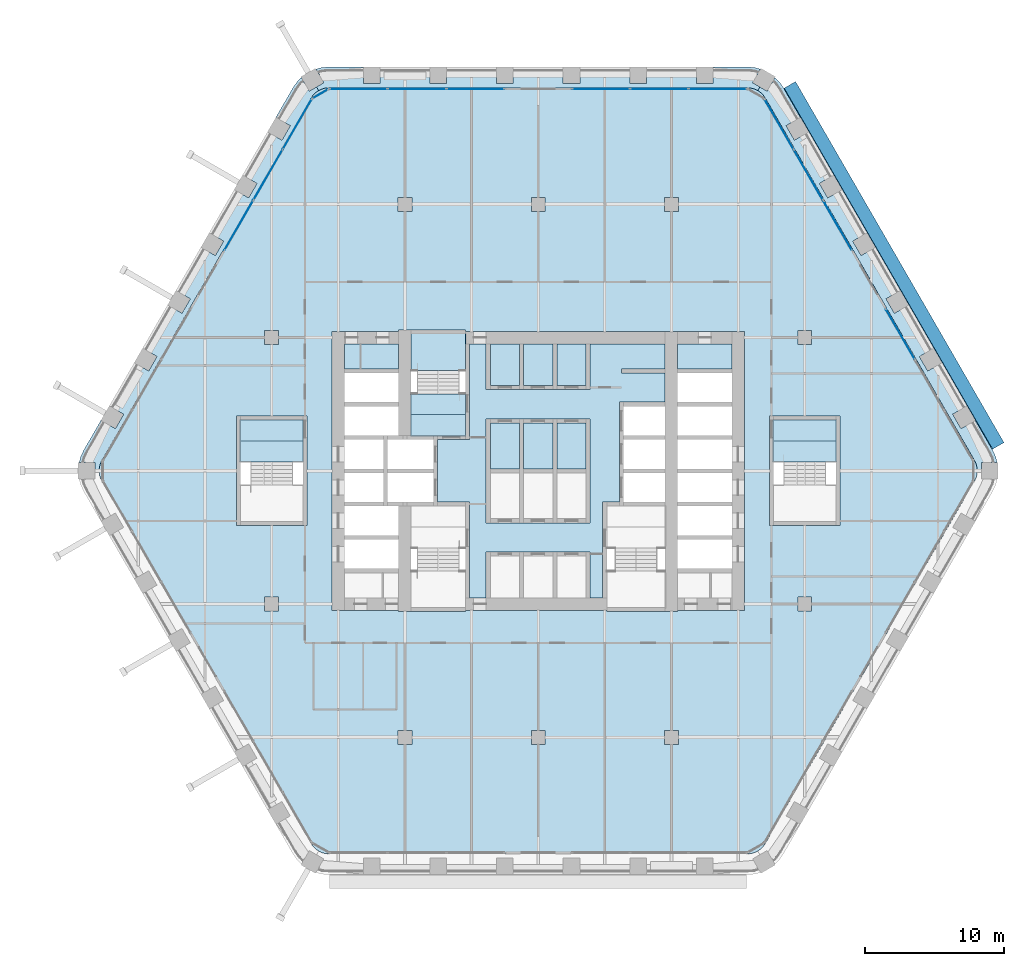
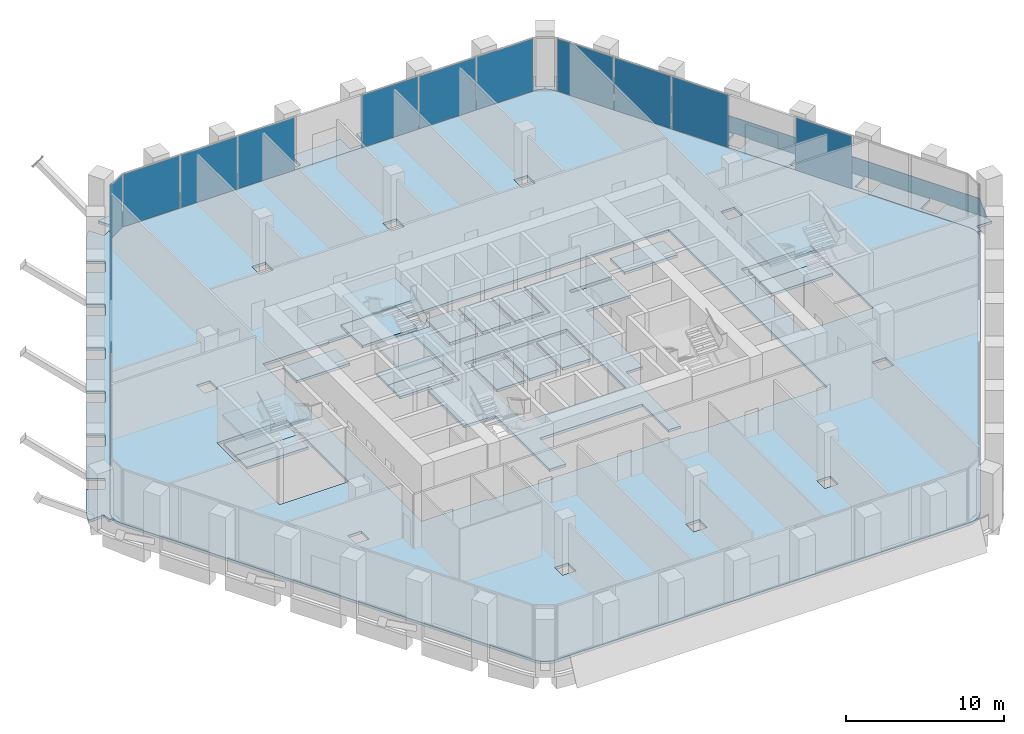
# One storey, part 13 of 27: 24 slabs, 15 plates, 9 elements without a shape of their own.
"""IFC4 building model written with IfcOpenShell, lengths in metres."""

from ifc_helpers import new_model, si_unit, direction, frame, origin, origin_2d, place, context, subcontext, project, spatial, polyline, rectangle, outline, extrude, material, layer, layer_set, type_object, element, aggregate, save


model = new_model("IFC4")

# Units and contexts
model_context = context("Model", 3, precision=1e-05, world=origin(), true_north=direction((0.0, 1.0)))
body_context = subcontext(model_context, "Body", "Model", "MODEL_VIEW")
ifc_project = project(units=[si_unit("LENGTHUNIT", "METRE"), si_unit("AREAUNIT", "SQUARE_METRE"), si_unit("VOLUMEUNIT", "CUBIC_METRE"), si_unit("PLANEANGLEUNIT", "RADIAN"), si_unit("MASSUNIT", "GRAM", prefix="KILO")], contexts=[model_context])

# Site, building, storey
site_placement = place(None, origin())
site = spatial("IfcSite", under=ifc_project, at=site_placement, CompositionType="ELEMENT")
building_placement = place(site_placement, origin())
building = spatial("IfcBuilding", under=site, at=building_placement, Name="Kolab Exchange Tower", CompositionType="ELEMENT")
storey_placement = place(building_placement, frame((0.0, 0.0, 118.39990234375)))
storey = spatial("IfcBuildingStorey", under=building, at=storey_placement, Name="L23", CompositionType="ELEMENT", Elevation=118.39990234375)

# Slabs
ifc_material_1 = material(Name="Concrete C35/45", Category="concrete")
ifc_layer_1 = layer(ifc_material_1, 0.199951171875)
ifc_layer_set_1 = layer_set([ifc_layer_1], Name="Concrete C35/45")
slab_type_1 = type_object("IfcSlabType", Name="FLOOR SLAB 200", PredefinedType="FLOOR", material=ifc_layer_set_1)
slab_1_placement = place(storey_placement, frame((0.0, 0.0, -0.199951171875)))
element("IfcSlab", 1, at=slab_1_placement, inside=storey, type_object=slab_type_1, Name="slab/L23/floor/0", PredefinedType="FLOOR", context=body_context, shape_type="SweptSolid", body=[
    extrude(outline(polyline([(16.366943359375, -26.848388671875), (31.434814453125, -0.75), (31.54541015625, -0.512939453125), (31.613037109375, -0.260498046875), (31.635986328125, 0.0), (31.613037109375, 0.260498046875), (31.54541015625, 0.512939453125), (31.434814453125, 0.75), (16.366943359375, 26.848388671875), (16.217041015625, 27.062744140625), (16.0322265625, 27.24755859375), (15.81787109375, 27.3974609375), (15.5810546875, 27.508056640625), (15.328369140625, 27.57568359375), (15.06787109375, 27.598388671875), (-15.06787109375, 27.598388671875), (-15.328369140625, 27.57568359375), (-15.5810546875, 27.508056640625), (-15.81787109375, 27.3974609375), (-16.0322265625, 27.24755859375), (-16.217041015625, 27.062744140625), (-16.366943359375, 26.848388671875), (-31.434814453125, 0.75), (-31.54541015625, 0.512939453125), (-31.613037109375, 0.260498046875), (-31.635986328125, 0.0), (-31.613037109375, -0.260498046875), (-31.54541015625, -0.512939453125), (-31.434814453125, -0.75), (-16.366943359375, -26.848388671875), (-16.217041015625, -27.062744140625), (-16.0322265625, -27.24755859375), (-15.81787109375, -27.3974609375), (-15.5810546875, -27.508056640625), (-15.328369140625, -27.57568359375), (-15.06787109375, -27.598388671875), (15.06787109375, -27.598388671875), (15.328369140625, -27.57568359375), (15.5810546875, -27.508056640625), (15.81787109375, -27.3974609375), (16.0322265625, -27.24755859375), (16.217041015625, -27.062744140625), (16.366943359375, -26.848388671875)]), holes=[polyline([(-13.949951171875, -10.050048828125), (-14.85009765625, -10.050048828125), (-14.85009765625, 10.050048828125), (-13.949951171875, 10.050048828125), (-10.050048828125, 10.050048828125), (-10.050048828125, 10.14990234375), (-9.14990234375, 10.14990234375), (-5.25, 10.14990234375), (-5.25, 10.050048828125), (9.14990234375, 10.050048828125), (10.050048828125, 10.050048828125), (13.949951171875, 10.050048828125), (14.85009765625, 10.050048828125), (14.85009765625, -10.050048828125), (13.949951171875, -10.050048828125), (10.050048828125, -10.050048828125), (10.050048828125, -10.14990234375), (9.14990234375, -10.14990234375), (4.949951171875, -10.14990234375), (4.949951171875, -10.050048828125), (-5.25, -10.050048828125), (-5.25, -10.14990234375), (-9.14990234375, -10.14990234375), (-10.050048828125, -10.14990234375), (-10.050048828125, -10.050048828125), (-13.949951171875, -10.050048828125)]), polyline([(-18.699951171875, -9.10009765625), (-18.699951171875, -10.10009765625), (-19.699951171875, -10.10009765625), (-19.699951171875, -9.10009765625), (-18.699951171875, -9.10009765625)]), polyline([(-21.449951171875, -3.949951171875), (-21.75, -3.949951171875), (-21.75, 3.949951171875), (-21.449951171875, 3.949951171875), (-16.949951171875, 3.949951171875), (-16.64990234375, 3.949951171875), (-16.64990234375, -3.949951171875), (-16.949951171875, -3.949951171875), (-21.449951171875, -3.949951171875)]), polyline([(-18.699951171875, 10.10009765625), (-18.699951171875, 9.10009765625), (-19.699951171875, 9.10009765625), (-19.699951171875, 10.10009765625), (-18.699951171875, 10.10009765625)]), polyline([(-9.10009765625, -18.699951171875), (-9.10009765625, -19.699951171875), (-10.10009765625, -19.699951171875), (-10.10009765625, -18.699951171875), (-9.10009765625, -18.699951171875)]), polyline([(-9.10009765625, 19.699951171875), (-9.10009765625, 18.699951171875), (-10.10009765625, 18.699951171875), (-10.10009765625, 19.699951171875), (-9.10009765625, 19.699951171875)]), polyline([(9.10009765625, -18.699951171875), (10.10009765625, -18.699951171875), (10.10009765625, -19.699951171875), (9.10009765625, -19.699951171875), (9.10009765625, -18.699951171875)]), polyline([(-0.5, -18.699951171875), (0.5, -18.699951171875), (0.5, -19.699951171875), (-0.5, -19.699951171875), (-0.5, -18.699951171875)]), polyline([(0.5, 19.699951171875), (0.5, 18.699951171875), (-0.5, 18.699951171875), (-0.5, 19.699951171875), (0.5, 19.699951171875)]), polyline([(10.10009765625, 19.699951171875), (10.10009765625, 18.699951171875), (9.10009765625, 18.699951171875), (9.10009765625, 19.699951171875), (10.10009765625, 19.699951171875)]), polyline([(19.699951171875, -9.10009765625), (19.699951171875, -10.10009765625), (18.699951171875, -10.10009765625), (18.699951171875, -9.10009765625), (19.699951171875, -9.10009765625)]), polyline([(21.449951171875, 3.949951171875), (21.75, 3.949951171875), (21.75, -3.949951171875), (21.449951171875, -3.949951171875), (16.949951171875, -3.949951171875), (16.64990234375, -3.949951171875), (16.64990234375, 3.949951171875), (16.949951171875, 3.949951171875), (21.449951171875, 3.949951171875)]), polyline([(19.699951171875, 10.10009765625), (19.699951171875, 9.10009765625), (18.699951171875, 9.10009765625), (18.699951171875, 10.10009765625), (19.699951171875, 10.10009765625)])]), origin(), (0.0, 0.0, 1.0), 0.199951171875),
])
slab_2_placement = place(storey_placement, frame((0.0, 0.0, -0.199951171875)))
element("IfcSlab", 2, at=slab_2_placement, inside=storey, type_object=slab_type_1, Name="slab/L23/floor/1", PredefinedType="FLOOR", context=body_context, shape_type="SweptSolid", body=[
    extrude(outline(polyline([(-4.949951171875, 9.14990234375), (-4.949951171875, 2.25), (-5.25, 2.25), (-7.25, 2.25), (-7.25, -2.25), (-5.25, -2.25), (-4.949951171875, -2.25), (-4.949951171875, -9.14990234375), (-3.75, -9.14990234375), (-3.75, -5.85009765625), (-3.449951171875, -5.85009765625), (-1.35009765625, -5.85009765625), (-1.050048828125, -5.85009765625), (1.050048828125, -5.85009765625), (1.35009765625, -5.85009765625), (3.449951171875, -5.85009765625), (3.75, -5.85009765625), (3.75, -9.14990234375), (4.64990234375, -9.14990234375), (4.64990234375, -2.25), (4.949951171875, -2.25), (5.85009765625, -2.25), (5.85009765625, 4.949951171875), (6.14990234375, 4.949951171875), (9.14990234375, 4.949951171875), (9.14990234375, 7.050048828125), (6.0, 7.050048828125), (6.0, 7.35009765625), (9.14990234375, 7.35009765625), (9.14990234375, 9.14990234375), (3.75, 9.14990234375), (3.75, 5.85009765625), (3.449951171875, 5.85009765625), (1.35009765625, 5.85009765625), (1.050048828125, 5.85009765625), (-1.050048828125, 5.85009765625), (-1.35009765625, 5.85009765625), (-3.449951171875, 5.85009765625), (-3.75, 5.85009765625), (-3.75, 9.14990234375), (-4.949951171875, 9.14990234375)]), holes=[polyline([(-3.75, -3.75), (-3.75, 3.75), (-3.449951171875, 3.75), (-1.35009765625, 3.75), (-1.050048828125, 3.75), (1.050048828125, 3.75), (1.35009765625, 3.75), (3.449951171875, 3.75), (3.75, 3.75), (3.75, -3.75), (3.449951171875, -3.75), (1.35009765625, -3.75), (1.050048828125, -3.75), (-1.050048828125, -3.75), (-1.35009765625, -3.75), (-3.449951171875, -3.75), (-3.75, -3.75)])]), origin(), (0.0, 0.0, 1.0), 0.199951171875),
])
slab_3_placement = place(storey_placement, frame((0.0, 0.0, -0.199951171875)))
element("IfcSlab", 3, at=slab_3_placement, inside=storey, type_object=slab_type_1, Name="slab/L23/floor/3", PredefinedType="FLOOR", context=body_context, shape_type="SweptSolid", body=[
    extrude(outline(polyline([(-10.050048828125, 9.14990234375), (-13.949951171875, 9.14990234375), (-13.949951171875, 7.35009765625), (-10.050048828125, 7.35009765625), (-10.050048828125, 9.14990234375)])), origin(), (0.0, 0.0, 1.0), 0.199951171875),
])
slab_4_placement = place(storey_placement, frame((0.0, 0.0, -0.199951171875)))
element("IfcSlab", 4, at=slab_4_placement, inside=storey, type_object=slab_type_1, Name="slab/L23/floor/5", PredefinedType="FLOOR", context=body_context, shape_type="SweptSolid", body=[
    extrude(outline(polyline([(13.949951171875, 9.14990234375), (10.050048828125, 9.14990234375), (10.050048828125, 7.35009765625), (13.949951171875, 7.35009765625), (13.949951171875, 9.14990234375)])), origin(), (0.0, 0.0, 1.0), 0.199951171875),
])
slab_5_placement = place(storey_placement, frame((0.0, 0.0, -0.199951171875)))
element("IfcSlab", 5, at=slab_5_placement, inside=storey, type_object=slab_type_1, Name="slab/L23/floor/7", PredefinedType="FLOOR", context=body_context, shape_type="SweptSolid", body=[
    extrude(outline(polyline([(-1.35009765625, 0.14990234375), (-1.35009765625, 3.449951171875), (-3.449951171875, 3.449951171875), (-3.449951171875, 0.14990234375), (-1.35009765625, 0.14990234375)])), origin(), (0.0, 0.0, 1.0), 0.199951171875),
])
slab_6_placement = place(storey_placement, frame((0.0, 0.0, -0.199951171875)))
element("IfcSlab", 6, at=slab_6_placement, inside=storey, type_object=slab_type_1, Name="slab/L23/floor/9", PredefinedType="FLOOR", context=body_context, shape_type="SweptSolid", body=[
    extrude(outline(polyline([(-1.050048828125, 3.449951171875), (-1.050048828125, 0.14990234375), (1.050048828125, 0.14990234375), (1.050048828125, 3.449951171875), (-1.050048828125, 3.449951171875)])), origin(), (0.0, 0.0, 1.0), 0.199951171875),
])
slab_7_placement = place(storey_placement, frame((0.0, 0.0, -0.199951171875)))
element("IfcSlab", 7, at=slab_7_placement, inside=storey, type_object=slab_type_1, Name="slab/L23/floor/11", PredefinedType="FLOOR", context=body_context, shape_type="SweptSolid", body=[
    extrude(outline(polyline([(1.35009765625, 0.14990234375), (3.449951171875, 0.14990234375), (3.449951171875, 3.449951171875), (1.35009765625, 3.449951171875), (1.35009765625, 0.14990234375)])), origin(), (0.0, 0.0, 1.0), 0.199951171875),
])
slab_8_placement = place(storey_placement, frame((0.0, 0.0, -0.199951171875)))
element("IfcSlab", 8, at=slab_8_placement, inside=storey, type_object=slab_type_1, Name="slab/L23/floor/12", PredefinedType="FLOOR", context=body_context, shape_type="SweptSolid", body=[
    extrude(outline(polyline([(-21.449951171875, 3.64990234375), (-21.449951171875, 2.14990234375), (-16.949951171875, 2.14990234375), (-16.949951171875, 3.64990234375), (-21.449951171875, 3.64990234375)])), origin(), (0.0, 0.0, 1.0), 0.199951171875),
])
slab_9_placement = place(storey_placement, frame((0.0, 0.0, -0.199951171875)))
element("IfcSlab", 9, at=slab_9_placement, inside=storey, type_object=slab_type_1, Name="slab/L23/floor/13", PredefinedType="FLOOR", context=body_context, shape_type="SweptSolid", body=[
    extrude(outline(polyline([(21.449951171875, 3.64990234375), (16.949951171875, 3.64990234375), (16.949951171875, 2.14990234375), (21.449951171875, 2.14990234375), (21.449951171875, 3.64990234375)])), origin(), (0.0, 0.0, 1.0), 0.199951171875),
])
slab_10_placement = place(storey_placement, frame((0.0, 0.0, -0.199951171875)))
element("IfcSlab", 10, at=slab_10_placement, inside=storey, type_object=slab_type_1, Name="slab/L23/floor/15", PredefinedType="FLOOR", context=body_context, shape_type="SweptSolid", body=[
    extrude(outline(polyline([(-1.35009765625, 6.14990234375), (-1.35009765625, 9.14990234375), (-3.449951171875, 9.14990234375), (-3.449951171875, 6.14990234375), (-1.35009765625, 6.14990234375)])), origin(), (0.0, 0.0, 1.0), 0.199951171875),
])
slab_11_placement = place(storey_placement, frame((0.0, 0.0, -0.199951171875)))
element("IfcSlab", 11, at=slab_11_placement, inside=storey, type_object=slab_type_1, Name="slab/L23/floor/17", PredefinedType="FLOOR", context=body_context, shape_type="SweptSolid", body=[
    extrude(outline(polyline([(-1.050048828125, 9.14990234375), (-1.050048828125, 6.14990234375), (1.050048828125, 6.14990234375), (1.050048828125, 9.14990234375), (-1.050048828125, 9.14990234375)])), origin(), (0.0, 0.0, 1.0), 0.199951171875),
])
slab_12_placement = place(storey_placement, frame((0.0, 0.0, -0.199951171875)))
element("IfcSlab", 12, at=slab_12_placement, inside=storey, type_object=slab_type_1, Name="slab/L23/floor/19", PredefinedType="FLOOR", context=body_context, shape_type="SweptSolid", body=[
    extrude(outline(polyline([(1.35009765625, 6.14990234375), (3.449951171875, 6.14990234375), (3.449951171875, 9.14990234375), (1.35009765625, 9.14990234375), (1.35009765625, 6.14990234375)])), origin(), (0.0, 0.0, 1.0), 0.199951171875),
])
slab_13_placement = place(storey_placement, frame((0.0, 0.0, -0.199951171875)))
element("IfcSlab", 13, at=slab_13_placement, inside=storey, type_object=slab_type_1, Name="slab/L23/floor/22", PredefinedType="FLOOR", context=body_context, shape_type="SweptSolid", body=[
    extrude(outline(polyline([(-5.25, 4.050048828125), (-9.14990234375, 4.050048828125), (-9.14990234375, 2.550048828125), (-7.550048828125, 2.550048828125), (-7.25, 2.550048828125), (-5.25, 2.550048828125), (-5.25, 4.050048828125)])), origin(), (0.0, 0.0, 1.0), 0.199951171875),
])
ifc_layer_2 = layer(ifc_material_1, 0.199951171875)
ifc_layer_set_2 = layer_set([ifc_layer_2], Name="Concrete C35/45")
slab_type_2 = type_object("IfcSlabType", Name="LOGGIA SLAB 200", PredefinedType="FLOOR", material=ifc_layer_set_2)
slab_14_placement = place(storey_placement, frame((0.0, 0.0, -0.199951171875)))
element("IfcSlab", 14, at=slab_14_placement, inside=storey, type_object=slab_type_2, Name="slab/L23/loggia/0-0", PredefinedType="FLOOR", context=body_context, shape_type="SweptSolid", body=[
    extrude(outline(polyline([(15.81787109375, 27.3974609375), (15.968017578125, 27.6572265625), (15.4482421875, 27.957275390625), (16.014892578125, 28.938720703125), (15.5888671875, 29.052978515625), (15.06787109375, 29.098388671875), (12.60009765625, 29.098388671875), (12.60009765625, 27.8984375), (11.39990234375, 27.8984375), (11.39990234375, 29.098388671875), (7.800048828125, 29.098388671875), (7.800048828125, 27.8984375), (6.60009765625, 27.8984375), (6.60009765625, 29.098388671875), (3.0, 29.098388671875), (3.0, 27.8984375), (1.800048828125, 27.8984375), (1.800048828125, 29.098388671875), (-1.800048828125, 29.098388671875), (-1.800048828125, 27.8984375), (-3.0, 27.8984375), (-3.0, 29.098388671875), (-6.60009765625, 29.098388671875), (-6.60009765625, 27.8984375), (-7.800048828125, 27.8984375), (-7.800048828125, 29.098388671875), (-11.39990234375, 29.098388671875), (-11.39990234375, 27.8984375), (-12.60009765625, 27.8984375), (-12.60009765625, 29.098388671875), (-15.06787109375, 29.098388671875), (-15.5888671875, 29.052978515625), (-16.014892578125, 28.938720703125), (-15.4482421875, 27.957275390625), (-15.968017578125, 27.6572265625), (-15.81787109375, 27.3974609375), (-15.5810546875, 27.508056640625), (-15.328369140625, 27.57568359375), (-15.06787109375, 27.598388671875), (15.06787109375, 27.598388671875), (15.328369140625, 27.57568359375), (15.5810546875, 27.508056640625), (15.81787109375, 27.3974609375)])), origin(), (0.0, 0.0, 1.0), 0.199951171875),
])
slab_15_placement = place(storey_placement, frame((0.0, 0.0, -0.199951171875)))
element("IfcSlab", 15, at=slab_15_placement, inside=storey, type_object=slab_type_2, Name="slab/L23/loggia/1-0", PredefinedType="FLOOR", context=body_context, shape_type="SweptSolid", body=[
    extrude(outline(polyline([(31.635986328125, 0.0), (31.935791015625, 0.0), (31.935791015625, 0.60009765625), (33.069091796875, 0.60009765625), (32.955078125, 1.026123046875), (32.73388671875, 1.5), (31.5, 3.63720703125), (30.460693359375, 3.037353515625), (29.86083984375, 4.076416015625), (30.89990234375, 4.676513671875), (29.10009765625, 7.794189453125), (28.060791015625, 7.1943359375), (27.460693359375, 8.2333984375), (28.5, 8.83349609375), (26.699951171875, 11.951171875), (25.660888671875, 11.35107421875), (25.060791015625, 12.390380859375), (26.10009765625, 12.990478515625), (24.300048828125, 16.108154296875), (23.2607421875, 15.508056640625), (22.660888671875, 16.54736328125), (23.699951171875, 17.147216796875), (21.89990234375, 20.264892578125), (20.86083984375, 19.6650390625), (20.2607421875, 20.704345703125), (21.300048828125, 21.30419921875), (19.5, 24.421875), (18.460693359375, 23.822021484375), (17.86083984375, 24.861083984375), (18.89990234375, 25.461181640625), (17.666015625, 27.598388671875), (17.365966796875, 28.02685546875), (17.05419921875, 28.338623046875), (16.487548828125, 27.357177734375), (15.968017578125, 27.6572265625), (15.81787109375, 27.3974609375), (16.0322265625, 27.24755859375), (16.217041015625, 27.062744140625), (16.366943359375, 26.848388671875), (31.434814453125, 0.75), (31.54541015625, 0.512939453125), (31.613037109375, 0.260498046875), (31.635986328125, 0.0)])), origin(), (0.0, 0.0, 1.0), 0.199951171875),
])
slab_16_placement = place(storey_placement, frame((0.0, 0.0, -0.199951171875)))
element("IfcSlab", 16, at=slab_16_placement, inside=storey, type_object=slab_type_2, Name="slab/L23/loggia/5-0", PredefinedType="FLOOR", context=body_context, shape_type="SweptSolid", body=[
    extrude(outline(polyline([(-15.81787109375, 27.3974609375), (-15.968017578125, 27.6572265625), (-16.487548828125, 27.357177734375), (-17.05419921875, 28.338623046875), (-17.365966796875, 28.02685546875), (-17.666015625, 27.598388671875), (-18.89990234375, 25.461181640625), (-17.86083984375, 24.861083984375), (-18.460693359375, 23.822021484375), (-19.5, 24.421875), (-21.300048828125, 21.30419921875), (-20.2607421875, 20.704345703125), (-20.86083984375, 19.6650390625), (-21.89990234375, 20.264892578125), (-23.699951171875, 17.147216796875), (-22.660888671875, 16.54736328125), (-23.2607421875, 15.508056640625), (-24.300048828125, 16.108154296875), (-26.10009765625, 12.990478515625), (-25.060791015625, 12.390380859375), (-25.660888671875, 11.35107421875), (-26.699951171875, 11.951171875), (-28.5, 8.83349609375), (-27.460693359375, 8.2333984375), (-28.060791015625, 7.1943359375), (-29.10009765625, 7.794189453125), (-30.89990234375, 4.676513671875), (-29.86083984375, 4.076416015625), (-30.460693359375, 3.037353515625), (-31.5, 3.63720703125), (-32.73388671875, 1.5), (-32.955078125, 1.026123046875), (-33.069091796875, 0.60009765625), (-31.935791015625, 0.60009765625), (-31.935791015625, 0.0), (-31.635986328125, 0.0), (-31.613037109375, 0.260498046875), (-31.54541015625, 0.512939453125), (-31.434814453125, 0.75), (-16.366943359375, 26.848388671875), (-16.217041015625, 27.062744140625), (-16.0322265625, 27.24755859375), (-15.81787109375, 27.3974609375)])), origin(), (0.0, 0.0, 1.0), 0.199951171875),
])

# Plate
ifc_material_2 = material(Name="Laminated glass, clear", Category="glass")
ifc_layer_3 = layer(ifc_material_2, 0.0400390625)
ifc_layer_set_3 = layer_set([ifc_layer_3], Name="Laminated glass, clear")
plate_type_1 = type_object("IfcPlateType", Name="OUTER SKIN LAMINATED GLASS SHEET 40", PredefinedType="SHEET", material=ifc_layer_set_3)
plate_1_placement = place(storey_placement, frame((18.540283203125, 28.04541015625, -0.73291015625), z_axis=(0.78488749746, 0.453155039209, 0.422613448403), x_axis=(0.499999167166, -0.866025884618, 2.126414e-06)))
element("IfcPlate", 17, at=plate_1_placement, inside=storey, type_object=plate_type_1, Name="Outer skin", PredefinedType="SHEET", context=body_context, shape_type="SweptSolid", body=[
    extrude(outline(polyline([(0.0, 0.0), (30.035931798469555, 0.0), (30.035821559359643, -2.2341565300489714), (-2.087711834573829e-05, -2.2342974723957343), (0.0, 0.0)])), origin(), (0.0, 0.0, -1.0), 0.0400390625),
])

# Stair, slabs
ifc_material_3 = material(Name="Concrete C50/60", Category="concrete")
stair_type_1 = type_object("IfcStairType", Name="STAIR ST1 RISER 160.7", PredefinedType="DOUBLE_RETURN_STAIR", material=ifc_material_3)
stair_1_placement = place(storey_placement, origin())
stair_1 = element("IfcStair", 18, at=stair_1_placement, inside=storey, type_object=stair_type_1, Name="Stair 1", PredefinedType="DOUBLE_RETURN_STAIR")
ifc_layer_4 = layer(ifc_material_3, 0.199951171875)
ifc_layer_set_4 = layer_set([ifc_layer_4], Name="Concrete C50/60")
slab_type_3 = type_object("IfcSlabType", Name="STAIR LANDING 200", PredefinedType="LANDING", material=ifc_layer_set_4)
slab_17_placement = place(storey_placement, frame((0.0, 0.0, -0.199951171875)))
slab_17 = element("IfcSlab", 19, at=slab_17_placement, type_object=slab_type_3, Name="ST1 landing 1", PredefinedType="LANDING", context=body_context, shape_type="SweptSolid", body=[
    extrude(outline(polyline([(-9.14990234375, 4.050048828125), (-5.25, 4.050048828125), (-5.25, 5.550048828125), (-9.14990234375, 5.550048828125), (-9.14990234375, 4.050048828125)])), origin(), (0.0, 0.0, 1.0), 0.199951171875),
])
slab_18_placement = place(storey_placement, frame((0.0, 0.0, 0.925048828125)))
slab_18 = element("IfcSlab", 20, at=slab_18_placement, type_object=slab_type_3, Name="ST1 landing 2", PredefinedType="LANDING", context=body_context, shape_type="SweptSolid", body=[
    extrude(outline(polyline([(-9.2099609375, 7.22998046875), (-5.18994140625, 7.22998046875), (-5.18994140625, 9.909912109375), (-9.2099609375, 9.909912109375), (-9.2099609375, 7.22998046875)])), origin(), (0.0, 0.0, 1.0), 0.199951171875),
])
slab_19_placement = place(storey_placement, frame((0.0, 0.0, 2.050048828125)))
slab_19 = element("IfcSlab", 21, at=slab_19_placement, type_object=slab_type_3, Name="ST1 landing 3", PredefinedType="LANDING", context=body_context, shape_type="SweptSolid", body=[
    extrude(outline(polyline([(-9.2099609375, 2.489990234375), (-5.18994140625, 2.489990234375), (-5.18994140625, 5.550048828125), (-9.2099609375, 5.550048828125), (-9.2099609375, 2.489990234375)])), origin(), (0.0, 0.0, 1.0), 0.199951171875),
])
slab_20_placement = place(storey_placement, frame((0.0, 0.0, 3.175048828125)))
slab_20 = element("IfcSlab", 22, at=slab_20_placement, type_object=slab_type_3, Name="ST1 landing 4", PredefinedType="LANDING", context=body_context, shape_type="SweptSolid", body=[
    extrude(outline(polyline([(-9.14990234375, 7.22998046875), (-5.25, 7.22998046875), (-5.25, 9.909912109375), (-9.14990234375, 9.909912109375), (-9.14990234375, 7.22998046875)])), origin(), (0.0, 0.0, 1.0), 0.199951171875),
])
aggregate(stair_1, [slab_17, slab_18, slab_19, slab_20])

stair_type_2 = type_object("IfcStairType", Name="STAIR ST4 RISER 160.7", PredefinedType="DOUBLE_RETURN_STAIR", material=ifc_material_3)
stair_2_placement = place(storey_placement, origin())
stair_2 = element("IfcStair", 23, at=stair_2_placement, inside=storey, type_object=stair_type_2, Name="Stair 4", PredefinedType="DOUBLE_RETURN_STAIR")
slab_21_placement = place(storey_placement, frame((0.0, 0.0, -0.199951171875)))
slab_21 = element("IfcSlab", 24, at=slab_21_placement, type_object=slab_type_3, Name="ST4 landing 1", PredefinedType="LANDING", context=body_context, shape_type="SweptSolid", body=[
    extrude(outline(polyline([(16.949951171875, 0.64990234375), (21.449951171875, 0.64990234375), (21.449951171875, 2.14990234375), (16.949951171875, 2.14990234375), (16.949951171875, 0.64990234375)])), origin(), (0.0, 0.0, 1.0), 0.199951171875),
])
slab_22_placement = place(storey_placement, frame((0.0, 0.0, 2.050048828125)))
slab_22 = element("IfcSlab", 25, at=slab_22_placement, type_object=slab_type_3, Name="ST4 landing 3", PredefinedType="LANDING", context=body_context, shape_type="SweptSolid", body=[
    extrude(outline(polyline([(16.889892578125, 0.64990234375), (21.510009765625, 0.64990234375), (21.510009765625, 3.7099609375), (16.889892578125, 3.7099609375), (16.889892578125, 0.64990234375)])), origin(), (0.0, 0.0, 1.0), 0.199951171875),
])
aggregate(stair_2, [slab_21, slab_22])

stair_type_3 = type_object("IfcStairType", Name="STAIR ST5 RISER 160.7", PredefinedType="DOUBLE_RETURN_STAIR", material=ifc_material_3)
stair_3_placement = place(storey_placement, origin())
stair_3 = element("IfcStair", 26, at=stair_3_placement, inside=storey, type_object=stair_type_3, Name="Stair 5", PredefinedType="DOUBLE_RETURN_STAIR")
slab_23_placement = place(storey_placement, frame((0.0, 0.0, -0.199951171875)))
slab_23 = element("IfcSlab", 27, at=slab_23_placement, type_object=slab_type_3, Name="ST5 landing 1", PredefinedType="LANDING", context=body_context, shape_type="SweptSolid", body=[
    extrude(outline(polyline([(-21.449951171875, 0.64990234375), (-16.949951171875, 0.64990234375), (-16.949951171875, 2.14990234375), (-21.449951171875, 2.14990234375), (-21.449951171875, 0.64990234375)])), origin(), (0.0, 0.0, 1.0), 0.199951171875),
])
slab_24_placement = place(storey_placement, frame((0.0, 0.0, 2.050048828125)))
slab_24 = element("IfcSlab", 28, at=slab_24_placement, type_object=slab_type_3, Name="ST5 landing 3", PredefinedType="LANDING", context=body_context, shape_type="SweptSolid", body=[
    extrude(outline(polyline([(-21.510009765625, 0.64990234375), (-16.889892578125, 0.64990234375), (-16.889892578125, 3.7099609375), (-21.510009765625, 3.7099609375), (-21.510009765625, 0.64990234375)])), origin(), (0.0, 0.0, 1.0), 0.199951171875),
])
aggregate(stair_3, [slab_23, slab_24])

# Curtain wall, plates
ifc_material_4 = material(Name="Aluminium EN AW-6063 T6", Category="aluminium")
curtain_wall_type = type_object("IfcCurtainWallType", Name="UNITISED LOWER MID ZONE CURTAIN WALL", PredefinedType="NOTDEFINED", material=ifc_material_4)
curtain_wall_1_placement = place(storey_placement, origin())
curtain_wall_1 = element("IfcCurtainWall", 29, at=curtain_wall_1_placement, inside=storey, type_object=curtain_wall_type, Name="cw/L23/F1-1", PredefinedType="NOTDEFINED")
ifc_material_5 = material(Name="Clear insulated glazing unit", Category="glass")
ifc_layer_5 = layer(ifc_material_5, 0.02587890625)
ifc_layer_set_5 = layer_set([ifc_layer_5], Name="Clear insulated glazing unit")
plate_type_2 = type_object("IfcPlateType", Name="UNITISED LOWER MID ZONE GLASS PANEL 26", PredefinedType="CURTAIN_PANEL", material=ifc_layer_set_5)
plate_2_placement = place(storey_placement, frame((-12.941650390625, 27.5185546875, 0.06005859375), z_axis=(0.0, 0.0, 1.0), x_axis=(1.0, 0.0, 0.0)))
plate_2 = element("IfcPlate", 30, at=plate_2_placement, type_object=plate_type_2, Name="CW2 panel 1.1", PredefinedType="CURTAIN_PANEL", context=body_context, shape_type="SweptSolid", body=[
    extrude(rectangle(XDim=4.132568359375, YDim=0.02587890625, at=origin_2d()), origin(), (0.0, 0.0, 1.0), 4.080078125),
])
plate_3_placement = place(storey_placement, frame((-8.73388671875, 27.5185546875, 0.06005859375), z_axis=(0.0, 0.0, 1.0), x_axis=(1.0, 0.0, 0.0)))
plate_3 = element("IfcPlate", 31, at=plate_3_placement, type_object=plate_type_2, Name="CW2 panel 2.1", PredefinedType="CURTAIN_PANEL", context=body_context, shape_type="SweptSolid", body=[
    extrude(rectangle(XDim=4.16259765625, YDim=0.02587890625, at=origin_2d()), origin(), (0.0, 0.0, 1.0), 4.080078125),
])
plate_4_placement = place(storey_placement, frame((-4.5263671875, 27.5185546875, 0.06005859375), z_axis=(0.0, 0.0, 1.0), x_axis=(1.0, 0.0, 0.0)))
plate_4 = element("IfcPlate", 32, at=plate_4_placement, type_object=plate_type_2, Name="CW2 panel 3.1", PredefinedType="CURTAIN_PANEL", context=body_context, shape_type="SweptSolid", body=[
    extrude(rectangle(XDim=4.132568359375, YDim=0.02587890625, at=origin_2d()), origin(), (0.0, 0.0, 1.0), 4.080078125),
])
aggregate(curtain_wall_1, [plate_2, plate_3, plate_4])

curtain_wall_2_placement = place(storey_placement, origin())
curtain_wall_2 = element("IfcCurtainWall", 33, at=curtain_wall_2_placement, inside=storey, type_object=curtain_wall_type, Name="cw/L23/F1-2", PredefinedType="NOTDEFINED")
plate_5_placement = place(storey_placement, frame((4.5263671875, 27.5185546875, 0.06005859375), z_axis=(0.0, 0.0, 1.0), x_axis=(1.0, 0.0, 0.0)))
plate_5 = element("IfcPlate", 34, at=plate_5_placement, type_object=plate_type_2, Name="CW2 panel 1.1", PredefinedType="CURTAIN_PANEL", context=body_context, shape_type="SweptSolid", body=[
    extrude(rectangle(XDim=4.132568359375, YDim=0.02587890625, at=origin_2d()), origin(), (0.0, 0.0, 1.0), 4.080078125),
])
plate_6_placement = place(storey_placement, frame((8.73388671875, 27.5185546875, 0.06005859375), z_axis=(0.0, 0.0, 1.0), x_axis=(1.0, 0.0, 0.0)))
plate_6 = element("IfcPlate", 35, at=plate_6_placement, type_object=plate_type_2, Name="CW2 panel 2.1", PredefinedType="CURTAIN_PANEL", context=body_context, shape_type="SweptSolid", body=[
    extrude(rectangle(XDim=4.16259765625, YDim=0.02587890625, at=origin_2d()), origin(), (0.0, 0.0, 1.0), 4.080078125),
])
plate_7_placement = place(storey_placement, frame((12.941650390625, 27.5185546875, 0.06005859375), z_axis=(0.0, 0.0, 1.0), x_axis=(1.0, 0.0, 0.0)))
plate_7 = element("IfcPlate", 36, at=plate_7_placement, type_object=plate_type_2, Name="CW2 panel 3.1", PredefinedType="CURTAIN_PANEL", context=body_context, shape_type="SweptSolid", body=[
    extrude(rectangle(XDim=4.132568359375, YDim=0.02587890625, at=origin_2d()), origin(), (0.0, 0.0, 1.0), 4.080078125),
])
aggregate(curtain_wall_2, [plate_5, plate_6, plate_7])

curtain_wall_3_placement = place(storey_placement, origin())
curtain_wall_3 = element("IfcCurtainWall", 37, at=curtain_wall_3_placement, inside=storey, type_object=curtain_wall_type, Name="cw/L23/F2-1", PredefinedType="NOTDEFINED")
plate_8_placement = place(storey_placement, frame((17.36083984375, 24.967041015625, 0.06005859375), z_axis=(0.0, 0.0, 1.0), x_axis=(0.500000017564, -0.866025393644, 0.0)))
plate_8 = element("IfcPlate", 38, at=plate_8_placement, type_object=plate_type_2, Name="CW2 panel 1.1", PredefinedType="CURTAIN_PANEL", context=body_context, shape_type="SweptSolid", body=[
    extrude(rectangle(XDim=4.132568359375, YDim=0.02587890625, at=origin_2d()), origin(), (0.0, 0.0, 1.0), 4.080078125),
])
plate_9_placement = place(storey_placement, frame((19.464599609375, 21.322998046875, 0.06005859375), z_axis=(0.0, 0.0, 1.0), x_axis=(0.500000017564, -0.866025393644, 0.0)))
plate_9 = element("IfcPlate", 39, at=plate_9_placement, type_object=plate_type_2, Name="CW2 panel 2.1", PredefinedType="CURTAIN_PANEL", context=body_context, shape_type="SweptSolid", body=[
    extrude(rectangle(XDim=4.16259765625, YDim=0.02587890625, at=origin_2d()), origin(), (0.0, 0.0, 1.0), 4.080078125),
])
plate_10_placement = place(storey_placement, frame((21.568603515625, 17.67919921875, 0.06005859375), z_axis=(0.0, 0.0, 1.0), x_axis=(0.500000017564, -0.866025393644, 0.0)))
plate_10 = element("IfcPlate", 40, at=plate_10_placement, type_object=plate_type_2, Name="CW2 panel 3.1", PredefinedType="CURTAIN_PANEL", context=body_context, shape_type="SweptSolid", body=[
    extrude(rectangle(XDim=4.132568359375, YDim=0.02587890625, at=origin_2d()), origin(), (0.0, 0.0, 1.0), 4.080078125),
])
aggregate(curtain_wall_3, [plate_8, plate_9, plate_10])

# Curtain wall, plate
curtain_wall_4_placement = place(storey_placement, origin())
curtain_wall_4 = element("IfcCurtainWall", 41, at=curtain_wall_4_placement, inside=storey, type_object=curtain_wall_type, Name="cw/L23/F2-2", PredefinedType="NOTDEFINED")
plate_11_placement = place(storey_placement, frame((26.0947265625, 9.83935546875, 0.06005859375), z_axis=(0.0, 0.0, 1.0), x_axis=(0.499999958358, -0.866025427826, 0.0)))
plate_11 = element("IfcPlate", 42, at=plate_11_placement, type_object=plate_type_2, Name="CW2 panel 1.1", PredefinedType="CURTAIN_PANEL", context=body_context, shape_type="SweptSolid", body=[
    extrude(rectangle(XDim=4.132568359375, YDim=0.02587890625, at=origin_2d()), origin(), (0.0, 0.0, 1.0), 4.080078125),
])
aggregate(curtain_wall_4, [plate_11])

# Curtain wall, plates
curtain_wall_5_placement = place(storey_placement, origin())
curtain_wall_5 = element("IfcCurtainWall", 43, at=curtain_wall_5_placement, inside=storey, type_object=curtain_wall_type, Name="cw/L23/F6-2", PredefinedType="NOTDEFINED")
plate_12_placement = place(storey_placement, frame((-21.568603515625, 17.67919921875, 0.06005859375), z_axis=(0.0, 0.0, 1.0), x_axis=(0.500000017564, 0.866025393644, 0.0)))
plate_12 = element("IfcPlate", 44, at=plate_12_placement, type_object=plate_type_2, Name="CW2 panel 1.1", PredefinedType="CURTAIN_PANEL", context=body_context, shape_type="SweptSolid", body=[
    extrude(rectangle(XDim=4.132568359375, YDim=0.02587890625, at=origin_2d()), origin(), (0.0, 0.0, 1.0), 4.080078125),
])
plate_13_placement = place(storey_placement, frame((-19.464599609375, 21.322998046875, 0.06005859375), z_axis=(0.0, 0.0, 1.0), x_axis=(0.500000017564, 0.866025393644, 0.0)))
plate_13 = element("IfcPlate", 45, at=plate_13_placement, type_object=plate_type_2, Name="CW2 panel 2.1", PredefinedType="CURTAIN_PANEL", context=body_context, shape_type="SweptSolid", body=[
    extrude(rectangle(XDim=4.16259765625, YDim=0.02587890625, at=origin_2d()), origin(), (0.0, 0.0, 1.0), 4.080078125),
])
plate_14_placement = place(storey_placement, frame((-17.36083984375, 24.967041015625, 0.06005859375), z_axis=(0.0, 0.0, 1.0), x_axis=(0.500000017564, 0.866025393644, 0.0)))
plate_14 = element("IfcPlate", 46, at=plate_14_placement, type_object=plate_type_2, Name="CW2 panel 3.1", PredefinedType="CURTAIN_PANEL", context=body_context, shape_type="SweptSolid", body=[
    extrude(rectangle(XDim=4.132568359375, YDim=0.02587890625, at=origin_2d()), origin(), (0.0, 0.0, 1.0), 4.080078125),
])
aggregate(curtain_wall_5, [plate_12, plate_13, plate_14])

# Curtain wall, plate
curtain_wall_6_placement = place(storey_placement, origin())
curtain_wall_6 = element("IfcCurtainWall", 47, at=curtain_wall_6_placement, inside=storey, type_object=curtain_wall_type, Name="cw/L23/F6F1-corner", PredefinedType="NOTDEFINED")
plate_15_placement = place(storey_placement, frame((-15.682861328125, 27.16357421875, 0.06005859375), z_axis=(0.0, 0.0, 1.0), x_axis=(0.866025390869, 0.50000002237, 0.0)))
plate_15 = element("IfcPlate", 48, at=plate_15_placement, type_object=plate_type_2, Name="CW2 panel 1.1", PredefinedType="CURTAIN_PANEL", context=body_context, shape_type="SweptSolid", body=[
    extrude(rectangle(XDim=1.300048828125, YDim=0.02587890625, at=origin_2d()), origin(), (0.0, 0.0, 1.0), 4.080078125),
])
aggregate(curtain_wall_6, [plate_15])

save(model, "model.ifc")
